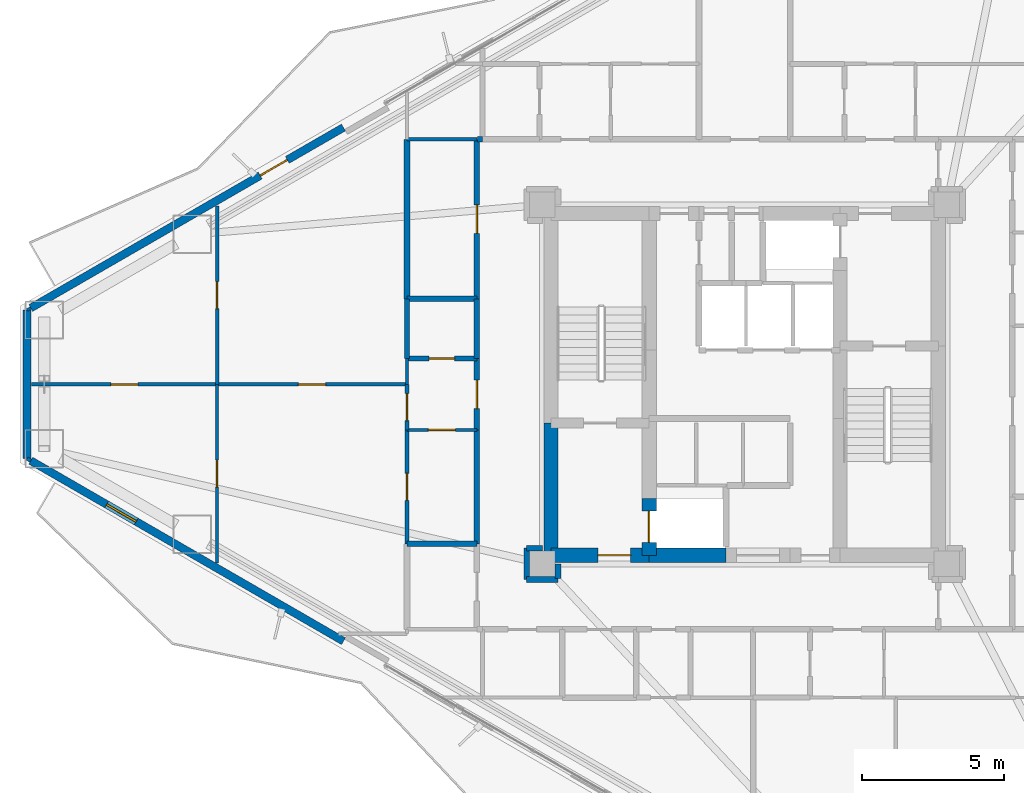
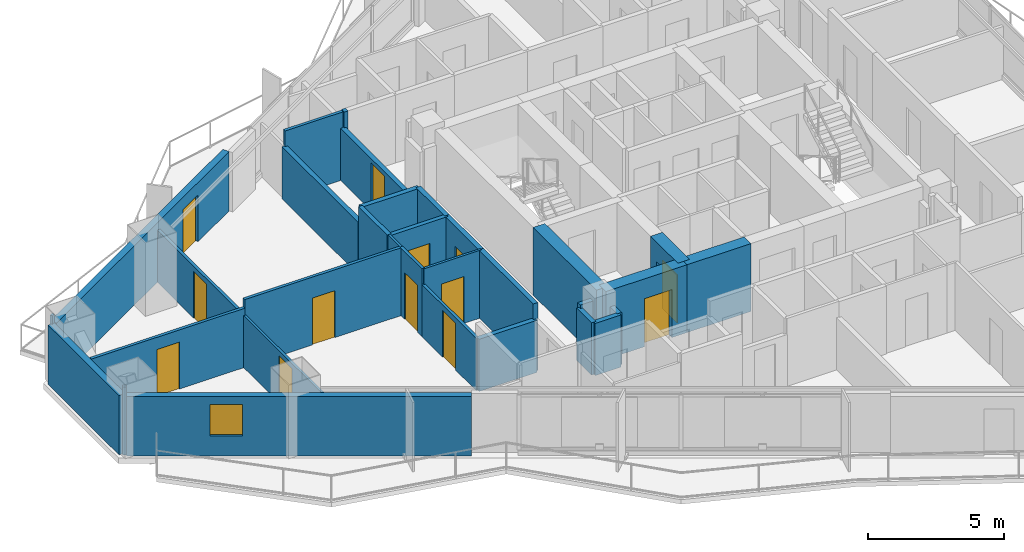
# One storey, part 13 of 19: 32 walls, 13 doors, 1 window, 14 openings.
"""IFC4 building model written with IfcOpenShell, lengths in metres."""

from ifc_helpers import new_model, si_unit, direction, frame, frame_2d, origin, place, context, subcontext, project, spatial, rectangle, extrude, material, layer, layer_set, type_object, element, fill, save


model = new_model("IFC4")

# Units and contexts
model_context = context("Model", 3, precision=1e-05, world=origin(), true_north=direction((0.0, 1.0)))
body_context = subcontext(model_context, "Body", "Model", "MODEL_VIEW")
ifc_project = project(units=[si_unit("LENGTHUNIT", "METRE"), si_unit("AREAUNIT", "SQUARE_METRE"), si_unit("VOLUMEUNIT", "CUBIC_METRE"), si_unit("PLANEANGLEUNIT", "RADIAN"), si_unit("MASSUNIT", "GRAM", prefix="KILO")], contexts=[model_context])

# Site, building, storey
site_placement = place(None, origin())
site = spatial("IfcSite", under=ifc_project, at=site_placement, CompositionType="ELEMENT")
building_placement = place(site_placement, origin())
building = spatial("IfcBuilding", under=site, at=building_placement, Name="Mersakhor Tower and Convention Hall", CompositionType="ELEMENT")
storey_placement = place(building_placement, frame((0.0, 0.0, 45.60009765625)))
storey = spatial("IfcBuildingStorey", under=building, at=storey_placement, Name="L12", CompositionType="ELEMENT", Elevation=45.60009765625)

# Wall
ifc_material_1 = material(Name="Precast concrete C45/55", Category="concrete")
ifc_layer_1 = layer(ifc_material_1, 0.27490234375)
ifc_layer_set_1 = layer_set([ifc_layer_1], Name="Precast concrete C45/55")
wall_type_1 = type_object("IfcWallType", Name="WL-EXT-275", PredefinedType="SOLIDWALL", material=ifc_layer_set_1)
wall_1_placement = place(storey_placement, frame((3.81298828125, 24.144287109375, 0.0), z_axis=(0.0, 0.0, 1.0), x_axis=(0.0, 1.0, 0.0)))
element("IfcWall", 1, at=wall_1_placement, inside=storey, type_object=wall_type_1, Name="L12 Chamfer Braced Spandrel Wall C3", PredefinedType="SOLIDWALL", context=body_context, shape_type="SweptSolid", body=[
    extrude(rectangle(XDim=5.21142578125, YDim=0.27490234375, at=frame_2d((2.605712890625, 0.0))), origin(), (0.0, 0.0, 1.0), 2.659912109375),
])

# Wall, opening, door
wall_2_placement = place(storey_placement, frame((3.943115234375, 29.4306640625, 0.0), z_axis=(0.0, 0.0, 1.0), x_axis=(0.866027105532, 0.499997052475, 0.0)))
wall_2 = element("IfcWall", 2, at=wall_2_placement, inside=storey, type_object=wall_type_1, Name="L12 Exterior Facade Wall F1-B1", PredefinedType="SOLIDWALL", context=body_context, shape_type="SweptSolid", body=[
    extrude(rectangle(XDim=12.6728515625, YDim=0.27490234375, at=frame_2d((6.33642578125, 0.0))), origin(), (0.0, 0.0, 1.0), 2.659912109375),
])
opening_1_placement = place(wall_2_placement, frame((9.298095703125, 0.0, 0.0)))
opening_1 = element("IfcOpeningElement", 3, at=opening_1_placement, cuts=wall_2, Name="Opening BD-02", PredefinedType="OPENING", context=body_context, shape_type="SweptSolid", body=[
    extrude(rectangle(XDim=1.10009765625, YDim=2.10009765625, at=frame_2d((0.550048828125, 1.050048828125))), frame((0.0, 0.1474609375, 0.0), z_axis=(0.0, -1.0, 0.0), x_axis=(1.0, 0.0, 0.0)), (0.0, 0.0, 1.0), 0.294921875),
])
ifc_material_2 = material(Name="Thermally broken dark aluminium and safety glass", Category="aluminium")
door_type_1 = type_object("IfcDoorType", Name="DR-BAL-110x210", OperationType="NOTDEFINED", PredefinedType="DOOR", material=ifc_material_2)
door_1_placement = place(opening_1_placement, origin())
door_1 = element("IfcDoor", 4, at=door_1_placement, inside=storey, type_object=door_type_1, Name="L12 Balcony Terrace Door F1-B1", OperationType="SINGLE_SWING_RIGHT", OverallHeight=2.10009765625, OverallWidth=1.10009765625, PredefinedType="DOOR", context=body_context, shape_type="SweptSolid", body=[
    extrude(rectangle(XDim=1.10009765625, YDim=2.10009765625, at=frame_2d((0.550048828125, 1.050048828125))), frame((0.0, 0.02490234375, 0.0), z_axis=(0.0, -1.0, 0.0), x_axis=(1.0, 0.0, 0.0)), (0.0, 0.0, 1.0), 0.050048828125),
])
fill(opening_1, door_1)

# Wall, opening, window
wall_3_placement = place(storey_placement, frame((14.918212890625, 17.73291015625, 0.0), z_axis=(0.0, 0.0, 1.0), x_axis=(-0.866027105532, 0.499997052475, 0.0)))
wall_3 = element("IfcWall", 5, at=wall_3_placement, inside=storey, type_object=wall_type_1, Name="L12 Exterior Facade Wall F3-B3", PredefinedType="SOLIDWALL", context=body_context, shape_type="SweptSolid", body=[
    extrude(rectangle(XDim=12.6728515625, YDim=0.27490234375, at=frame_2d((6.33642578125, 0.0))), origin(), (0.0, 0.0, 1.0), 2.659912109375),
])
opening_2_placement = place(wall_3_placement, frame((8.402099609375, 0.0, 0.89990234375)))
opening_2 = element("IfcOpeningElement", 6, at=opening_2_placement, cuts=wall_3, Name="Opening W-01", PredefinedType="OPENING", context=body_context, shape_type="SweptSolid", body=[
    extrude(rectangle(XDim=1.199951171875, YDim=1.39990234375, at=frame_2d((0.60009765625, 0.699951171875))), frame((0.0, 0.1474609375, 0.0), z_axis=(0.0, -1.0, 0.0), x_axis=(1.0, 0.0, 0.0)), (0.0, 0.0, 1.0), 0.294921875),
])
ifc_material_3 = material(Name="Dark solar low-E glazed aluminium window", Category="aluminium")
window_type = type_object("IfcWindowType", Name="WN-RES-120x150", PartitioningType="SINGLE_PANEL", PredefinedType="WINDOW", material=ifc_material_3)
window_placement = place(opening_2_placement, origin())
window = element("IfcWindow", 7, at=window_placement, inside=storey, type_object=window_type, Name="L12 Bedroom Facade Window F3-B3-1", OverallHeight=1.39990234375, OverallWidth=1.199951171875, PartitioningType="SINGLE_PANEL", PredefinedType="WINDOW", context=body_context, shape_type="SweptSolid", body=[
    extrude(rectangle(XDim=1.199951171875, YDim=1.39990234375, at=frame_2d((0.60009765625, 0.699951171875))), frame((0.0, 0.030029296875, 0.0), z_axis=(0.0, -1.0, 0.0), x_axis=(1.0, 0.0, 0.0)), (0.0, 0.0, 1.0), 0.06005859375),
])
fill(opening_2, window)

# Wall, opening, door
ifc_material_4 = material(Name="Moisture-resistant acoustic drywall studwork", Category="other")
ifc_layer_2 = layer(ifc_material_4, 0.175048828125)
ifc_layer_set_2 = layer_set([ifc_layer_2], Name="Moisture-resistant acoustic drywall studwork")
wall_type_2 = type_object("IfcWallType", Name="WL-PLM-175", PredefinedType="PLUMBINGWALL", material=ifc_layer_set_2)
wall_4_placement = place(storey_placement, frame((17.14990234375, 27.64990234375, 0.0), z_axis=(0.0, 0.0, 1.0), x_axis=(1.0, 0.0, 0.0)))
wall_4 = element("IfcWall", 8, at=wall_4_placement, inside=storey, type_object=wall_type_2, Name="L12 Interior Partition Wall P-077", PredefinedType="PLUMBINGWALL", context=body_context, shape_type="SweptSolid", body=[
    extrude(rectangle(XDim=2.4501953125, YDim=0.175048828125, at=frame_2d((1.22509765625, 0.0))), origin(), (0.0, 0.0, 1.0), 3.039794921875),
])
opening_3_placement = place(wall_4_placement, frame((0.77490234375, 0.0, 0.0)))
opening_3 = element("IfcOpeningElement", 9, at=opening_3_placement, cuts=wall_4, Name="Opening WD-01", PredefinedType="OPENING", context=body_context, shape_type="SweptSolid", body=[
    extrude(rectangle(XDim=0.89990234375, YDim=2.10009765625, at=frame_2d((0.449951171875, 1.050048828125))), frame((0.0, 0.097412109375, 0.0), z_axis=(0.0, -1.0, 0.0), x_axis=(1.0, 0.0, 0.0)), (0.0, 0.0, 1.0), 0.195068359375),
])
ifc_material_5 = material(Name="Solid-core hardwood leaf in painted steel frame", Category="steel")
door_type_2 = type_object("IfcDoorType", Name="DR-INT-WET-090x210", OperationType="NOTDEFINED", PredefinedType="DOOR", material=ifc_material_5)
door_2_placement = place(opening_3_placement, origin())
door_2 = element("IfcDoor", 10, at=door_2_placement, inside=storey, type_object=door_type_2, Name="L12 L12 Flat W5 Apartment Hall to L12 Flat W5 Bathroom Door", OperationType="SINGLE_SWING_LEFT", OverallHeight=2.10009765625, OverallWidth=0.89990234375, PredefinedType="DOOR", context=body_context, shape_type="SweptSolid", body=[
    extrude(rectangle(XDim=0.89990234375, YDim=2.10009765625, at=frame_2d((0.449951171875, 1.050048828125))), frame((0.0, 0.02490234375, 0.0), z_axis=(0.0, -1.0, 0.0), x_axis=(1.0, 0.0, 0.0)), (0.0, 0.0, 1.0), 0.050048828125),
])
fill(opening_3, door_2)

# Walls
wall_5_placement = place(storey_placement, frame((17.14990234375, 27.64990234375, 0.0), z_axis=(0.0, 0.0, 1.0), x_axis=(0.0, 1.0, 0.0)))
element("IfcWall", 11, at=wall_5_placement, inside=storey, type_object=wall_type_2, Name="L12 Interior Partition Wall P-095", PredefinedType="PLUMBINGWALL", context=body_context, shape_type="SweptSolid", body=[
    extrude(rectangle(XDim=2.10009765625, YDim=0.175048828125, at=frame_2d((1.050048828125, 0.0))), origin(), (0.0, 0.0, 1.0), 3.039794921875),
])
ifc_material_6 = material(Name="Lightweight gypsum partition", Category="other")
ifc_layer_3 = layer(ifc_material_6, 0.10009765625)
ifc_layer_set_3 = layer_set([ifc_layer_3], Name="Lightweight gypsum partition")
wall_type_3 = type_object("IfcWallType", Name="WL-PRT-100", PredefinedType="PARTITIONING", material=ifc_layer_set_3)
wall_6_placement = place(storey_placement, frame((17.14990234375, 26.75, 0.0), z_axis=(0.0, 0.0, 1.0), x_axis=(0.0, 1.0, 0.0)))
element("IfcWall", 12, at=wall_6_placement, inside=storey, type_object=wall_type_3, Name="L12 Interior Partition Wall P-076", PredefinedType="PARTITIONING", context=body_context, shape_type="SweptSolid", body=[
    extrude(rectangle(XDim=0.89990234375, YDim=0.10009765625, at=frame_2d((0.449951171875, 0.0))), origin(), (0.0, 0.0, 1.0), 3.039794921875),
])

# Wall, opening, door
wall_7_placement = place(storey_placement, frame((19.60009765625, 25.14990234375, 0.0), z_axis=(0.0, 0.0, 1.0), x_axis=(-1.0, 0.0, 0.0)))
wall_7 = element("IfcWall", 13, at=wall_7_placement, inside=storey, type_object=wall_type_3, Name="L12 Interior Partition Wall P-078", PredefinedType="PARTITIONING", context=body_context, shape_type="SweptSolid", body=[
    extrude(rectangle(XDim=2.4501953125, YDim=0.10009765625, at=frame_2d((1.22509765625, 0.0))), origin(), (0.0, 0.0, 1.0), 3.039794921875),
])
opening_4_placement = place(wall_7_placement, frame((0.75, 0.0, 0.0)))
opening_4 = element("IfcOpeningElement", 14, at=opening_4_placement, cuts=wall_7, Name="Opening RD-01", PredefinedType="OPENING", context=body_context, shape_type="SweptSolid", body=[
    extrude(rectangle(XDim=0.949951171875, YDim=2.10009765625, at=frame_2d((0.47509765625, 1.050048828125))), frame((0.0, 0.06005859375, 0.0), z_axis=(0.0, -1.0, 0.0), x_axis=(1.0, 0.0, 0.0)), (0.0, 0.0, 1.0), 0.1201171875),
])
ifc_material_7 = material(Name="Solid-core hardwood leaf in painted steel frame", Category="steel")
door_type_3 = type_object("IfcDoorType", Name="DR-INT-RM-095x210", OperationType="NOTDEFINED", PredefinedType="DOOR", material=ifc_material_7)
door_3_placement = place(opening_4_placement, origin())
door_3 = element("IfcDoor", 15, at=door_3_placement, inside=storey, type_object=door_type_3, Name="L12 L12 Flat W5 Apartment Hall to L12 Flat W5 Kitchen Door", OperationType="SINGLE_SWING_RIGHT", OverallHeight=2.10009765625, OverallWidth=0.949951171875, PredefinedType="DOOR", context=body_context, shape_type="SweptSolid", body=[
    extrude(rectangle(XDim=0.949951171875, YDim=2.10009765625, at=frame_2d((0.47509765625, 1.050048828125))), frame((0.0, 0.02490234375, 0.0), z_axis=(0.0, -1.0, 0.0), x_axis=(1.0, 0.0, 0.0)), (0.0, 0.0, 1.0), 0.050048828125),
])
fill(opening_4, door_3)

# Wall
wall_8_placement = place(storey_placement, frame((3.81298828125, 29.35595703125, 0.0), z_axis=(0.0, 0.0, 1.0), x_axis=(0.866131372301, 0.499816412211, 0.0)))
element("IfcWall", 16, at=wall_8_placement, inside=storey, type_object=wall_type_3, Name="L12 Interior Partition Wall P-124", PredefinedType="PARTITIONING", context=body_context, shape_type="SweptSolid", body=[
    extrude(rectangle(XDim=0.14990234375, YDim=0.10009765625, at=frame_2d((0.074951171875, 0.0))), origin(), (0.0, 0.0, 1.0), 3.039794921875),
])

# Wall, opening, door
wall_9_placement = place(storey_placement, frame((10.47998046875, 26.75, 0.0), z_axis=(0.0, 0.0, 1.0), x_axis=(0.0, -1.0, 0.0)))
wall_9 = element("IfcWall", 17, at=wall_9_placement, inside=storey, type_object=wall_type_3, Name="L12 Interior Partition Wall P-128", PredefinedType="PARTITIONING", context=body_context, shape_type="SweptSolid", body=[
    extrude(rectangle(XDim=6.268310546875, YDim=0.10009765625, at=frame_2d((3.13427734375, 0.0))), origin(), (0.0, 0.0, 1.0), 2.33740234375),
])
opening_5_placement = place(wall_9_placement, frame((2.6591796875, 0.0, 0.0)))
opening_5 = element("IfcOpeningElement", 18, at=opening_5_placement, cuts=wall_9, Name="Opening RD-01", PredefinedType="OPENING", context=body_context, shape_type="SweptSolid", body=[
    extrude(rectangle(XDim=0.949951171875, YDim=2.10009765625, at=frame_2d((0.47509765625, 1.050048828125))), frame((0.0, 0.06005859375, 0.0), z_axis=(0.0, -1.0, 0.0), x_axis=(1.0, 0.0, 0.0)), (0.0, 0.0, 1.0), 0.1201171875),
])
door_4_placement = place(opening_5_placement, origin())
door_4 = element("IfcDoor", 19, at=door_4_placement, inside=storey, type_object=door_type_3, Name="L12 L12 Flat W5 Master Bedroom to L12 Flat W5 Dining Room Door", OperationType="SINGLE_SWING_RIGHT", OverallHeight=2.10009765625, OverallWidth=0.949951171875, PredefinedType="DOOR", context=body_context, shape_type="SweptSolid", body=[
    extrude(rectangle(XDim=0.949951171875, YDim=2.10009765625, at=frame_2d((0.47509765625, 1.050048828125))), frame((0.0, 0.02490234375, 0.0), z_axis=(0.0, -1.0, 0.0), x_axis=(1.0, 0.0, 0.0)), (0.0, 0.0, 1.0), 0.050048828125),
])
fill(opening_5, door_4)

ifc_material_8 = material(Name="Gypsum board acoustic partition", Category="other")
ifc_layer_4 = layer(ifc_material_8, 0.125)
ifc_layer_set_4 = layer_set([ifc_layer_4], Name="Gypsum board acoustic partition")
wall_type_4 = type_object("IfcWallType", Name="WL-PRT-125", PredefinedType="PARTITIONING", material=ifc_layer_set_4)
wall_10_placement = place(storey_placement, frame((17.14990234375, 25.14990234375, 0.0), z_axis=(0.0, 0.0, 1.0), x_axis=(0.0, 1.0, 0.0)))
wall_10 = element("IfcWall", 20, at=wall_10_placement, inside=storey, type_object=wall_type_4, Name="L12 Interior Partition Wall P-075", PredefinedType="PARTITIONING", context=body_context, shape_type="SweptSolid", body=[
    extrude(rectangle(XDim=1.60009765625, YDim=0.125, at=frame_2d((0.800048828125, 0.0))), origin(), (0.0, 0.0, 1.0), 3.039794921875),
])
opening_6_placement = place(wall_10_placement, frame((0.324951171875, 0.0, 0.0)))
opening_6 = element("IfcOpeningElement", 21, at=opening_6_placement, cuts=wall_10, Name="Opening RD-01", PredefinedType="OPENING", context=body_context, shape_type="SweptSolid", body=[
    extrude(rectangle(XDim=0.949951171875, YDim=2.10009765625, at=frame_2d((0.47509765625, 1.050048828125))), frame((0.0, 0.072509765625, 0.0), z_axis=(0.0, -1.0, 0.0), x_axis=(1.0, 0.0, 0.0)), (0.0, 0.0, 1.0), 0.14501953125),
])
door_5_placement = place(opening_6_placement, origin())
door_5 = element("IfcDoor", 22, at=door_5_placement, inside=storey, type_object=door_type_3, Name="L12 L12 Flat W5 Apartment Hall to L12 Flat W5 Dining Room Door", OperationType="SINGLE_SWING_LEFT", OverallHeight=2.10009765625, OverallWidth=0.949951171875, PredefinedType="DOOR", context=body_context, shape_type="SweptSolid", body=[
    extrude(rectangle(XDim=0.949951171875, YDim=2.10009765625, at=frame_2d((0.47509765625, 1.050048828125))), frame((0.0, 0.02490234375, 0.0), z_axis=(0.0, -1.0, 0.0), x_axis=(1.0, 0.0, 0.0)), (0.0, 0.0, 1.0), 0.050048828125),
])
fill(opening_6, door_5)

wall_11_placement = place(storey_placement, frame((17.14990234375, 21.14990234375, 0.0), z_axis=(0.0, 0.0, 1.0), x_axis=(0.0, 1.0, 0.0)))
wall_11 = element("IfcWall", 23, at=wall_11_placement, inside=storey, type_object=wall_type_4, Name="L12 Interior Partition Wall P-097", PredefinedType="PARTITIONING", context=body_context, shape_type="SweptSolid", body=[
    extrude(rectangle(XDim=4.0, YDim=0.125, at=frame_2d((2.0, 0.0))), origin(), (0.0, 0.0, 1.0), 2.33740234375),
])
opening_7_placement = place(wall_11_placement, frame((1.52490234375, 0.0, 0.0)))
opening_7 = element("IfcOpeningElement", 24, at=opening_7_placement, cuts=wall_11, Name="Opening RD-01", PredefinedType="OPENING", context=body_context, shape_type="SweptSolid", body=[
    extrude(rectangle(XDim=0.949951171875, YDim=2.10009765625, at=frame_2d((0.47509765625, 1.050048828125))), frame((0.0, 0.072509765625, 0.0), z_axis=(0.0, -1.0, 0.0), x_axis=(1.0, 0.0, 0.0)), (0.0, 0.0, 1.0), 0.14501953125),
])
door_6_placement = place(opening_7_placement, origin())
door_6 = element("IfcDoor", 25, at=door_6_placement, inside=storey, type_object=door_type_3, Name="L12 L12 Flat W5 Kitchen to L12 Flat W5 Dining Room Door", OperationType="SINGLE_SWING_LEFT", OverallHeight=2.10009765625, OverallWidth=0.949951171875, PredefinedType="DOOR", context=body_context, shape_type="SweptSolid", body=[
    extrude(rectangle(XDim=0.949951171875, YDim=2.10009765625, at=frame_2d((0.47509765625, 1.050048828125))), frame((0.0, 0.02490234375, 0.0), z_axis=(0.0, -1.0, 0.0), x_axis=(1.0, 0.0, 0.0)), (0.0, 0.0, 1.0), 0.050048828125),
])
fill(opening_7, door_6)

# Wall
wall_12_placement = place(storey_placement, frame((17.14990234375, 35.35009765625, 0.0), z_axis=(0.0, 0.0, 1.0), x_axis=(1.0, 0.0, 0.0)))
element("IfcWall", 26, at=wall_12_placement, inside=storey, type_object=wall_type_4, Name="L12 Interior Partition Wall P-103", PredefinedType="PARTITIONING", context=body_context, shape_type="SweptSolid", body=[
    extrude(rectangle(XDim=2.4501953125, YDim=0.125, at=frame_2d((1.22509765625, 0.0))), origin(), (0.0, 0.0, 1.0), 3.039794921875),
])

# Wall, opening, door
wall_13_placement = place(storey_placement, frame((10.47998046875, 26.75, 0.0), z_axis=(0.0, 0.0, 1.0), x_axis=(-1.0, 0.0, 0.0)))
wall_13 = element("IfcWall", 27, at=wall_13_placement, inside=storey, type_object=wall_type_4, Name="L12 Interior Partition Wall P-123", PredefinedType="PARTITIONING", context=body_context, shape_type="SweptSolid", body=[
    extrude(rectangle(XDim=6.50537109375, YDim=0.125, at=frame_2d((3.252685546875, 0.0))), origin(), (0.0, 0.0, 1.0), 2.650390625),
])
opening_8_placement = place(wall_13_placement, frame((2.777587890625, 0.0, 0.0)))
opening_8 = element("IfcOpeningElement", 28, at=opening_8_placement, cuts=wall_13, Name="Opening RD-01", PredefinedType="OPENING", context=body_context, shape_type="SweptSolid", body=[
    extrude(rectangle(XDim=0.949951171875, YDim=2.10009765625, at=frame_2d((0.47509765625, 1.050048828125))), frame((0.0, 0.072509765625, 0.0), z_axis=(0.0, -1.0, 0.0), x_axis=(1.0, 0.0, 0.0)), (0.0, 0.0, 1.0), 0.14501953125),
])
door_7_placement = place(opening_8_placement, origin())
door_7 = element("IfcDoor", 29, at=door_7_placement, inside=storey, type_object=door_type_3, Name="L12 L12 Flat W5 Living and Dining Room to L12 Flat W5 Master Bedroom Door", OperationType="SINGLE_SWING_RIGHT", OverallHeight=2.10009765625, OverallWidth=0.949951171875, PredefinedType="DOOR", context=body_context, shape_type="SweptSolid", body=[
    extrude(rectangle(XDim=0.949951171875, YDim=2.10009765625, at=frame_2d((0.47509765625, 1.050048828125))), frame((0.0, 0.02490234375, 0.0), z_axis=(0.0, -1.0, 0.0), x_axis=(1.0, 0.0, 0.0)), (0.0, 0.0, 1.0), 0.050048828125),
])
fill(opening_8, door_7)

wall_14_placement = place(storey_placement, frame((10.47998046875, 33.018310546875, 0.0), z_axis=(0.0, 0.0, 1.0), x_axis=(0.0, -1.0, 0.0)))
wall_14 = element("IfcWall", 30, at=wall_14_placement, inside=storey, type_object=wall_type_4, Name="L12 Interior Partition Wall P-125", PredefinedType="PARTITIONING", context=body_context, shape_type="SweptSolid", body=[
    extrude(rectangle(XDim=6.268310546875, YDim=0.125, at=frame_2d((3.13427734375, 0.0))), origin(), (0.0, 0.0, 1.0), 2.33740234375),
])
opening_9_placement = place(wall_14_placement, frame((2.6591796875, 0.0, 0.0)))
opening_9 = element("IfcOpeningElement", 31, at=opening_9_placement, cuts=wall_14, Name="Opening RD-01", PredefinedType="OPENING", context=body_context, shape_type="SweptSolid", body=[
    extrude(rectangle(XDim=0.949951171875, YDim=2.10009765625, at=frame_2d((0.47509765625, 1.050048828125))), frame((0.0, 0.072509765625, 0.0), z_axis=(0.0, -1.0, 0.0), x_axis=(1.0, 0.0, 0.0)), (0.0, 0.0, 1.0), 0.14501953125),
])
door_8_placement = place(opening_9_placement, origin())
door_8 = element("IfcDoor", 32, at=door_8_placement, inside=storey, type_object=door_type_3, Name="L12 L12 Flat W5 Living and Dining Room to L12 Flat W5 Dining Room Door", OperationType="SINGLE_SWING_LEFT", OverallHeight=2.10009765625, OverallWidth=0.949951171875, PredefinedType="DOOR", context=body_context, shape_type="SweptSolid", body=[
    extrude(rectangle(XDim=0.949951171875, YDim=2.10009765625, at=frame_2d((0.47509765625, 1.050048828125))), frame((0.0, 0.02490234375, 0.0), z_axis=(0.0, -1.0, 0.0), x_axis=(1.0, 0.0, 0.0)), (0.0, 0.0, 1.0), 0.050048828125),
])
fill(opening_9, door_8)

wall_15_placement = place(storey_placement, frame((17.14990234375, 26.75, 0.0), z_axis=(0.0, 0.0, 1.0), x_axis=(-1.0, 0.0, 0.0)))
wall_15 = element("IfcWall", 33, at=wall_15_placement, inside=storey, type_object=wall_type_4, Name="L12 Interior Partition Wall P-127", PredefinedType="PARTITIONING", context=body_context, shape_type="SweptSolid", body=[
    extrude(rectangle(XDim=6.669921875, YDim=0.125, at=frame_2d((3.3349609375, 0.0))), origin(), (0.0, 0.0, 1.0), 3.039794921875),
])
opening_10_placement = place(wall_15_placement, frame((2.860107421875, 0.0, 0.0)))
opening_10 = element("IfcOpeningElement", 34, at=opening_10_placement, cuts=wall_15, Name="Opening RD-01", PredefinedType="OPENING", context=body_context, shape_type="SweptSolid", body=[
    extrude(rectangle(XDim=0.949951171875, YDim=2.10009765625, at=frame_2d((0.47509765625, 1.050048828125))), frame((0.0, 0.072509765625, 0.0), z_axis=(0.0, -1.0, 0.0), x_axis=(1.0, 0.0, 0.0)), (0.0, 0.0, 1.0), 0.14501953125),
])
door_9_placement = place(opening_10_placement, origin())
door_9 = element("IfcDoor", 35, at=door_9_placement, inside=storey, type_object=door_type_3, Name="L12 L12 Flat W5 Dining Room to L12 Flat W5 Dining Room Door", OperationType="SINGLE_SWING_LEFT", OverallHeight=2.10009765625, OverallWidth=0.949951171875, PredefinedType="DOOR", context=body_context, shape_type="SweptSolid", body=[
    extrude(rectangle(XDim=0.949951171875, YDim=2.10009765625, at=frame_2d((0.47509765625, 1.050048828125))), frame((0.0, 0.02490234375, 0.0), z_axis=(0.0, -1.0, 0.0), x_axis=(1.0, 0.0, 0.0)), (0.0, 0.0, 1.0), 0.050048828125),
])
fill(opening_10, door_9)

# Walls
wall_16_placement = place(storey_placement, frame((3.94287109375, 24.069091796875, 0.0), z_axis=(0.0, 0.0, 1.0), x_axis=(-0.866131372301, 0.499816412211, 0.0)))
element("IfcWall", 36, at=wall_16_placement, inside=storey, type_object=wall_type_4, Name="L12 Interior Partition Wall P-129", PredefinedType="PARTITIONING", context=body_context, shape_type="SweptSolid", body=[
    extrude(rectangle(XDim=0.14990234375, YDim=0.125, at=frame_2d((0.074951171875, 0.0))), origin(), (0.0, 0.0, 1.0), 3.039794921875),
])
ifc_material_9 = material(Name="Acoustic concrete blockwork and gypsum board", Category="masonry")
ifc_layer_5 = layer(ifc_material_9, 0.199951171875)
ifc_layer_set_5 = layer_set([ifc_layer_5], Name="Acoustic concrete blockwork and gypsum board")
wall_type_5 = type_object("IfcWallType", Name="WL-PRT-200", PredefinedType="PARTITIONING", material=ifc_layer_set_5)
wall_17_placement = place(storey_placement, frame((21.35009765625, 19.89990234375, 0.0), z_axis=(0.0, 0.0, 1.0), x_axis=(1.0, 0.0, 0.0)))
element("IfcWall", 37, at=wall_17_placement, inside=storey, type_object=wall_type_5, Name="L12 Interior Partition Wall P-019", PredefinedType="PARTITIONING", context=body_context, shape_type="SweptSolid", body=[
    extrude(rectangle(XDim=1.099853515625, YDim=0.199951171875, at=frame_2d((0.5498046875, 0.0))), origin(), (0.0, 0.0, 1.0), 2.33740234375),
])
wall_18_placement = place(storey_placement, frame((22.449951171875, 19.929931640625, 0.0), z_axis=(0.0, 0.0, 1.0), x_axis=(0.0, 1.0, 0.0)))
element("IfcWall", 38, at=wall_18_placement, inside=storey, type_object=wall_type_5, Name="L12 Interior Partition Wall P-020", PredefinedType="PARTITIONING", context=body_context, shape_type="SweptSolid", body=[
    extrude(rectangle(XDim=0.52001953125, YDim=0.199951171875, at=frame_2d((0.260009765625, 0.0))), origin(), (0.0, 0.0, 1.0), 2.33740234375),
])
wall_19_placement = place(storey_placement, frame((19.60009765625, 21.14990234375, 0.0), z_axis=(0.0, 0.0, 1.0), x_axis=(0.0, 1.0, 0.0)))
element("IfcWall", 39, at=wall_19_placement, inside=storey, type_object=wall_type_5, Name="L12 Interior Partition Wall P-033", PredefinedType="PARTITIONING", context=body_context, shape_type="SweptSolid", body=[
    extrude(rectangle(XDim=4.0, YDim=0.199951171875, at=frame_2d((2.0, 0.0))), origin(), (0.0, 0.0, 1.0), 3.039794921875),
])

# Wall, opening, door
wall_20_placement = place(storey_placement, frame((19.60009765625, 25.14990234375, 0.0), z_axis=(0.0, 0.0, 1.0), x_axis=(0.0, 1.0, 0.0)))
wall_20 = element("IfcWall", 40, at=wall_20_placement, inside=storey, type_object=wall_type_5, Name="L12 Interior Partition Wall P-034", PredefinedType="PARTITIONING", context=body_context, shape_type="SweptSolid", body=[
    extrude(rectangle(XDim=2.5, YDim=0.199951171875, at=frame_2d((1.25, 0.0))), origin(), (0.0, 0.0, 1.0), 3.039794921875),
])
opening_11_placement = place(wall_20_placement, frame((0.75, 0.0, 0.0)))
opening_11 = element("IfcOpeningElement", 41, at=opening_11_placement, cuts=wall_20, Name="Opening FD-01", PredefinedType="OPENING", context=body_context, shape_type="SweptSolid", body=[
    extrude(rectangle(XDim=1.0, YDim=2.14990234375, at=frame_2d((0.5, 1.074951171875))), frame((0.0, 0.10986328125, 0.0), z_axis=(0.0, -1.0, 0.0), x_axis=(1.0, 0.0, 0.0)), (0.0, 0.0, 1.0), 0.219970703125),
])
ifc_material_10 = material(Name="Fire-rated hardwood leaf and painted steel frame", Category="steel")
door_type_4 = type_object("IfcDoorType", Name="DR-INT-FLT-100x215", OperationType="NOTDEFINED", PredefinedType="DOOR", material=ifc_material_10)
door_10_placement = place(opening_11_placement, origin())
door_10 = element("IfcDoor", 42, at=door_10_placement, inside=storey, type_object=door_type_4, Name="L12 Apartment Entrance Door (Residential Ring Corridor to L12 Flat W5 Apartment Hall)", OperationType="SINGLE_SWING_LEFT", OverallHeight=2.14990234375, OverallWidth=1.0, PredefinedType="DOOR", context=body_context, shape_type="SweptSolid", body=[
    extrude(rectangle(XDim=1.0, YDim=2.14990234375, at=frame_2d((0.5, 1.074951171875))), frame((0.0, 0.02490234375, 0.0), z_axis=(0.0, -1.0, 0.0), x_axis=(1.0, 0.0, 0.0)), (0.0, 0.0, 1.0), 0.050048828125),
])
fill(opening_11, door_10)

# Wall
wall_21_placement = place(storey_placement, frame((19.60009765625, 27.64990234375, 0.0), z_axis=(0.0, 0.0, 1.0), x_axis=(0.0, 1.0, 0.0)))
element("IfcWall", 43, at=wall_21_placement, inside=storey, type_object=wall_type_5, Name="L12 Interior Partition Wall P-035", PredefinedType="PARTITIONING", context=body_context, shape_type="SweptSolid", body=[
    extrude(rectangle(XDim=2.10009765625, YDim=0.199951171875, at=frame_2d((1.050048828125, 0.0))), origin(), (0.0, 0.0, 1.0), 3.039794921875),
])

# Wall, opening, door
wall_22_placement = place(storey_placement, frame((19.60009765625, 29.75, 0.0), z_axis=(0.0, 0.0, 1.0), x_axis=(0.0, 1.0, 0.0)))
wall_22 = element("IfcWall", 44, at=wall_22_placement, inside=storey, type_object=wall_type_5, Name="L12 Interior Partition Wall P-036", PredefinedType="PARTITIONING", context=body_context, shape_type="SweptSolid", body=[
    extrude(rectangle(XDim=5.60009765625, YDim=0.199951171875, at=frame_2d((2.800048828125, 0.0))), origin(), (0.0, 0.0, 1.0), 2.33740234375),
])
opening_12_placement = place(wall_22_placement, frame((2.300048828125, 0.0, 0.0)))
opening_12 = element("IfcOpeningElement", 45, at=opening_12_placement, cuts=wall_22, Name="Opening FD-01", PredefinedType="OPENING", context=body_context, shape_type="SweptSolid", body=[
    extrude(rectangle(XDim=1.0, YDim=2.14990234375, at=frame_2d((0.5, 1.074951171875))), frame((0.0, 0.10986328125, 0.0), z_axis=(0.0, -1.0, 0.0), x_axis=(1.0, 0.0, 0.0)), (0.0, 0.0, 1.0), 0.219970703125),
])
door_11_placement = place(opening_12_placement, origin())
door_11 = element("IfcDoor", 46, at=door_11_placement, inside=storey, type_object=door_type_4, Name="L12 Residential Ring Corridor to L12 West Wing Shared Study Room Door", OperationType="SINGLE_SWING_RIGHT", OverallHeight=2.14990234375, OverallWidth=1.0, PredefinedType="DOOR", context=body_context, shape_type="SweptSolid", body=[
    extrude(rectangle(XDim=1.0, YDim=2.14990234375, at=frame_2d((0.5, 1.074951171875))), frame((0.0, 0.02490234375, 0.0), z_axis=(0.0, -1.0, 0.0), x_axis=(1.0, 0.0, 0.0)), (0.0, 0.0, 1.0), 0.050048828125),
])
fill(opening_12, door_11)

# Walls
wall_23_placement = place(storey_placement, frame((19.6298828125, 35.35009765625, 0.0), z_axis=(0.0, 0.0, 1.0), x_axis=(1.0, 0.0, 0.0)))
element("IfcWall", 47, at=wall_23_placement, inside=storey, type_object=wall_type_5, Name="L12 Interior Partition Wall P-037", PredefinedType="PARTITIONING", context=body_context, shape_type="SweptSolid", body=[
    extrude(rectangle(XDim=0.170166015625, YDim=0.199951171875, at=frame_2d((0.0849609375, 0.0))), origin(), (0.0, 0.0, 1.0), 3.039794921875),
])
wall_24_placement = place(storey_placement, frame((21.89990234375, 21.0, 0.0), z_axis=(0.0, 0.0, 1.0), x_axis=(-1.0, 0.0, 0.0)))
element("IfcWall", 48, at=wall_24_placement, inside=storey, type_object=wall_type_5, Name="L12 Interior Partition Wall P-052", PredefinedType="PARTITIONING", context=body_context, shape_type="SweptSolid", body=[
    extrude(rectangle(XDim=0.5498046875, YDim=0.199951171875, at=frame_2d((0.27490234375, 0.0))), origin(), (0.0, 0.0, 1.0), 2.48828125),
])
wall_25_placement = place(storey_placement, frame((21.35009765625, 21.0, 0.0), z_axis=(0.0, 0.0, 1.0), x_axis=(0.0, -1.0, 0.0)))
element("IfcWall", 49, at=wall_25_placement, inside=storey, type_object=wall_type_5, Name="L12 Interior Partition Wall P-053", PredefinedType="PARTITIONING", context=body_context, shape_type="SweptSolid", body=[
    extrude(rectangle(XDim=1.10009765625, YDim=0.199951171875, at=frame_2d((0.550048828125, 0.0))), origin(), (0.0, 0.0, 1.0), 2.33740234375),
])
wall_26_placement = place(storey_placement, frame((17.14990234375, 29.75, 0.0), z_axis=(0.0, 0.0, 1.0), x_axis=(1.0, 0.0, 0.0)))
element("IfcWall", 50, at=wall_26_placement, inside=storey, type_object=wall_type_5, Name="L12 Interior Partition Wall P-096", PredefinedType="PARTITIONING", context=body_context, shape_type="SweptSolid", body=[
    extrude(rectangle(XDim=2.4501953125, YDim=0.199951171875, at=frame_2d((1.22509765625, 0.0))), origin(), (0.0, 0.0, 1.0), 3.039794921875),
])
wall_27_placement = place(storey_placement, frame((19.60009765625, 21.14990234375, 0.0), z_axis=(0.0, 0.0, 1.0), x_axis=(-1.0, 0.0, 0.0)))
element("IfcWall", 51, at=wall_27_placement, inside=storey, type_object=wall_type_5, Name="L12 Interior Partition Wall P-098", PredefinedType="PARTITIONING", context=body_context, shape_type="SweptSolid", body=[
    extrude(rectangle(XDim=2.4501953125, YDim=0.199951171875, at=frame_2d((1.22509765625, 0.0))), origin(), (0.0, 0.0, 1.0), 2.33740234375),
])
wall_28_placement = place(storey_placement, frame((17.14990234375, 29.75, 0.0), z_axis=(0.0, 0.0, 1.0), x_axis=(0.0, 1.0, 0.0)))
element("IfcWall", 52, at=wall_28_placement, inside=storey, type_object=wall_type_5, Name="L12 Interior Partition Wall P-102", PredefinedType="PARTITIONING", context=body_context, shape_type="SweptSolid", body=[
    extrude(rectangle(XDim=5.60009765625, YDim=0.199951171875, at=frame_2d((2.800048828125, 0.0))), origin(), (0.0, 0.0, 1.0), 2.33740234375),
])
ifc_material_11 = material(Name="Concrete C70/85", Category="concrete")
ifc_layer_6 = layer(ifc_material_11, 0.5)
ifc_layer_set_6 = layer_set([ifc_layer_6], Name="Concrete C70/85")
wall_type_6 = type_object("IfcWallType", Name="WL-SHR-500", PredefinedType="SHEAR", material=ifc_layer_set_6)
wall_29_placement = place(storey_placement, frame((22.199951171875, 20.75, 0.0), z_axis=(0.0, 0.0, 1.0), x_axis=(0.0, 1.0, 0.0)))
element("IfcWall", 53, at=wall_29_placement, inside=storey, type_object=wall_type_6, Name="L12 Core Wall CW-W1", PredefinedType="SHEAR", context=body_context, shape_type="SweptSolid", body=[
    extrude(rectangle(XDim=4.64990234375, YDim=0.5, at=frame_2d((2.324951171875, 0.0))), origin(), (0.0, 0.0, 1.0), 3.039794921875),
])
wall_30_placement = place(storey_placement, frame((28.35009765625, 20.75, 0.0), z_axis=(0.0, 0.0, 1.0), x_axis=(-1.0, 0.0, 0.0)))
element("IfcWall", 54, at=wall_30_placement, inside=storey, type_object=wall_type_6, Name="L12 Core Wall CW-S3", PredefinedType="SHEAR", context=body_context, shape_type="SweptSolid", body=[
    extrude(rectangle(XDim=2.7001953125, YDim=0.5, at=frame_2d((1.35009765625, 0.0))), origin(), (0.0, 0.0, 1.0), 3.039794921875),
])

# Wall, opening, door
wall_31_placement = place(storey_placement, frame((25.64990234375, 20.75, 0.0), z_axis=(0.0, 0.0, 1.0), x_axis=(-1.0, 0.0, 0.0)))
wall_31 = element("IfcWall", 55, at=wall_31_placement, inside=storey, type_object=wall_type_6, Name="L12 Core Wall CW-S4", PredefinedType="SHEAR", context=body_context, shape_type="SweptSolid", body=[
    extrude(rectangle(XDim=3.449951171875, YDim=0.5, at=frame_2d((1.72509765625, 0.0))), origin(), (0.0, 0.0, 1.0), 3.039794921875),
])
opening_13_placement = place(wall_31_placement, frame((0.64990234375, 0.0, 0.0)))
opening_13 = element("IfcOpeningElement", 56, at=opening_13_placement, cuts=wall_31, Name="Opening SD-01", PredefinedType="OPENING", context=body_context, shape_type="SweptSolid", body=[
    extrude(rectangle(XDim=1.14990234375, YDim=2.14990234375, at=frame_2d((0.574951171875, 1.074951171875))), frame((0.0, 0.260009765625, 0.0), z_axis=(0.0, -1.0, 0.0), x_axis=(1.0, 0.0, 0.0)), (0.0, 0.0, 1.0), 0.52001953125),
])
ifc_material_12 = material(Name="Fire-rated hardwood leaf and painted steel frame", Category="steel")
door_type_5 = type_object("IfcDoorType", Name="DR-INT-STAIR-115x215", OperationType="NOTDEFINED", PredefinedType="DOOR", material=ifc_material_12)
door_12_placement = place(opening_13_placement, origin())
door_12 = element("IfcDoor", 57, at=door_12_placement, inside=storey, type_object=door_type_5, Name="L12 Firefighting Lobby West Fire Door", OperationType="SINGLE_SWING_LEFT", OverallHeight=2.14990234375, OverallWidth=1.14990234375, PredefinedType="DOOR", context=body_context, shape_type="SweptSolid", body=[
    extrude(rectangle(XDim=1.14990234375, YDim=2.14990234375, at=frame_2d((0.574951171875, 1.074951171875))), frame((0.0, 0.02490234375, 0.0), z_axis=(0.0, -1.0, 0.0), x_axis=(1.0, 0.0, 0.0)), (0.0, 0.0, 1.0), 0.050048828125),
])
fill(opening_13, door_12)

wall_32_placement = place(storey_placement, frame((25.64990234375, 20.75, 0.0), z_axis=(0.0, 0.0, 1.0), x_axis=(0.0, 1.0, 0.0)))
wall_32 = element("IfcWall", 58, at=wall_32_placement, inside=storey, type_object=wall_type_6, Name="L12 Core Wall CS-W-FFL", PredefinedType="SHEAR", context=body_context, shape_type="SweptSolid", body=[
    extrude(rectangle(XDim=2.0, YDim=0.5, at=frame_2d((1.0, 0.0))), origin(), (0.0, 0.0, 1.0), 3.039794921875),
])
opening_14_placement = place(wall_32_placement, frame((0.449951171875, 0.0, 0.0)))
opening_14 = element("IfcOpeningElement", 59, at=opening_14_placement, cuts=wall_32, Name="Opening LD-FFL1", PredefinedType="OPENING", context=body_context, shape_type="SweptSolid", body=[
    extrude(rectangle(XDim=1.10009765625, YDim=2.14990234375, at=frame_2d((0.550048828125, 1.074951171875))), frame((0.0, 0.260009765625, 0.0), z_axis=(0.0, -1.0, 0.0), x_axis=(1.0, 0.0, 0.0)), (0.0, 0.0, 1.0), 0.52001953125),
])
ifc_material_13 = material(Name="Fire-rated brushed stainless steel sliding landing door", Category="steel")
door_type_6 = type_object("IfcDoorType", Name="DR-LIFT-SLD-110x215", OperationType="NOTDEFINED", PredefinedType="DOOR", material=ifc_material_13)
door_13_placement = place(opening_14_placement, origin())
door_13 = element("IfcDoor", 60, at=door_13_placement, inside=storey, type_object=door_type_6, Name="L12 Firefighting Lift Landing Door LD-FFL1", OperationType="SLIDING_TO_LEFT", OverallHeight=2.14990234375, OverallWidth=1.10009765625, PredefinedType="DOOR", context=body_context, shape_type="SweptSolid", body=[
    extrude(rectangle(XDim=1.10009765625, YDim=2.14990234375, at=frame_2d((0.550048828125, 1.074951171875))), frame((0.0, 0.02490234375, 0.0), z_axis=(0.0, -1.0, 0.0), x_axis=(1.0, 0.0, 0.0)), (0.0, 0.0, 1.0), 0.050048828125),
])
fill(opening_14, door_13)

save(model, "model.ifc")
